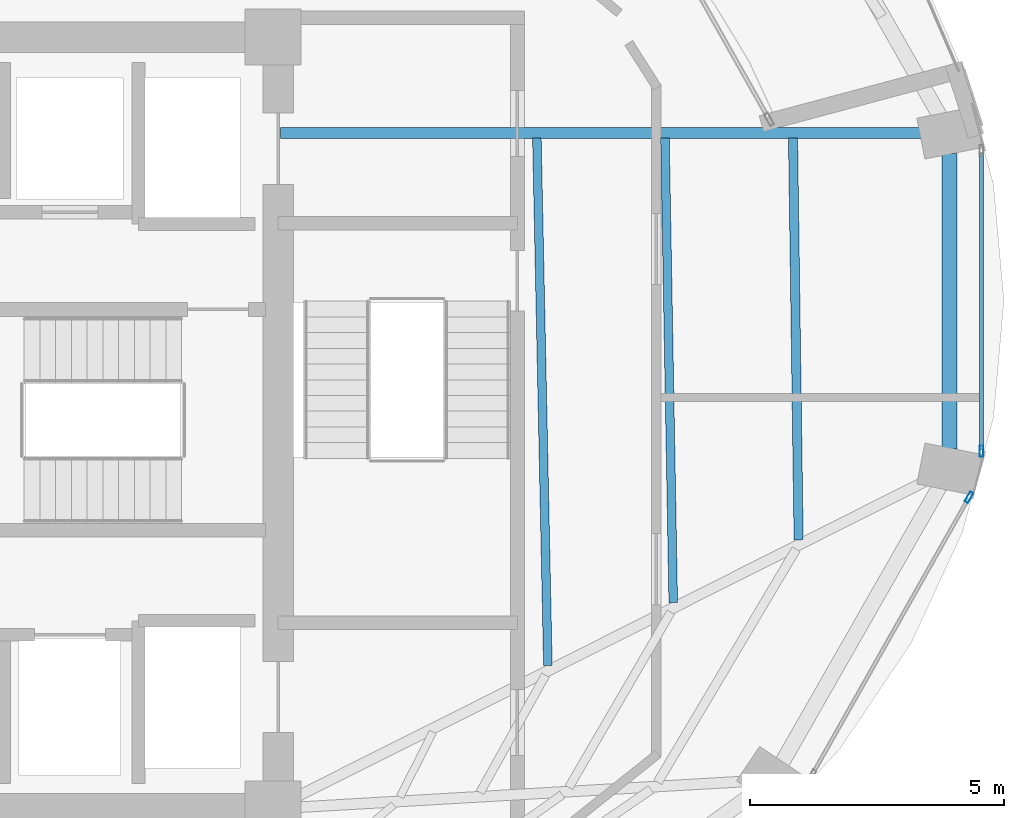
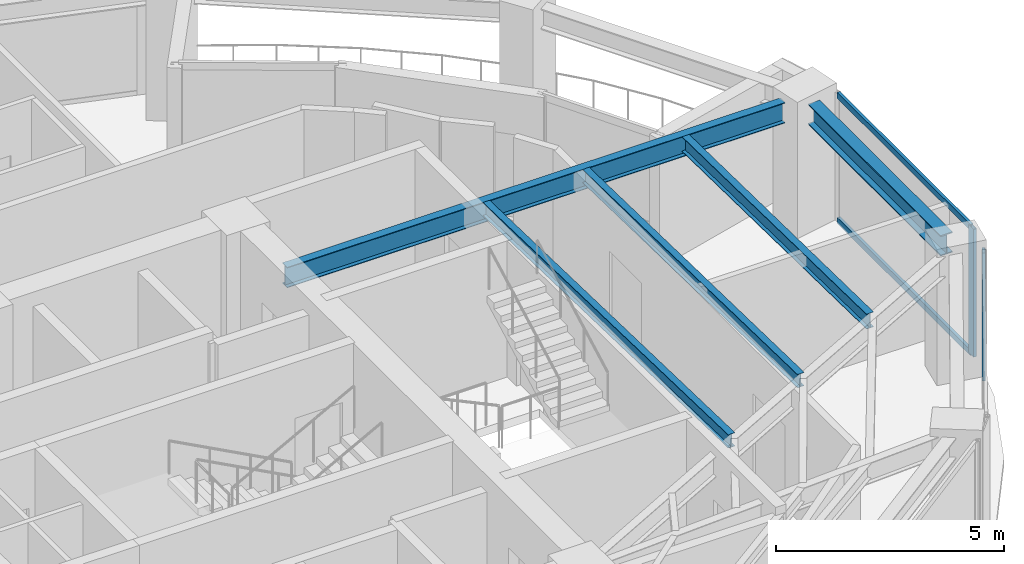
# One storey, part 10 of 19: 5 beams, 4 members, 2 elements without a shape of their own.
"""IFC4 building model written with IfcOpenShell, lengths in metres."""

from ifc_helpers import new_model, si_unit, direction, frame, origin, origin_2d, place, context, subcontext, project, spatial, hollow_rectangle, i_section, extrude, material, layer, layer_set, material_profile, profile_set, type_object, element, aggregate, save


model = new_model("IFC4")

# Units and contexts
model_context = context("Model", 3, precision=1e-05, world=origin(), true_north=direction((0.0, 1.0)))
body_context = subcontext(model_context, "Body", "Model", "MODEL_VIEW")
ifc_project = project(units=[si_unit("LENGTHUNIT", "METRE"), si_unit("AREAUNIT", "SQUARE_METRE"), si_unit("VOLUMEUNIT", "CUBIC_METRE"), si_unit("PLANEANGLEUNIT", "RADIAN"), si_unit("MASSUNIT", "GRAM", prefix="KILO")], contexts=[model_context])

# Site, building, storey
site_placement = place(None, origin())
site = spatial("IfcSite", under=ifc_project, at=site_placement, CompositionType="ELEMENT")
building_placement = place(site_placement, origin())
building = spatial("IfcBuilding", under=site, at=building_placement, Name="Lazwardi Medical Tower", CompositionType="ELEMENT")
storey_placement = place(building_placement, frame((0.0, 0.0, 163.823974609375)))
storey = spatial("IfcBuildingStorey", under=building, at=storey_placement, Name="L42", CompositionType="ELEMENT", Elevation=163.823974609375)

# Beams
ifc_material_1 = material(Name="Steel S355", Category="steel")
ifc_material_profile_1 = material_profile(ifc_material_1, i_section(OverallWidth=0.300048828125, OverallDepth=0.550048828125, WebThickness=0.014892578125, FlangeThickness=0.029052734375, at=origin_2d()), Name="HEB 550")
ifc_profile_set_1 = profile_set([ifc_material_profile_1], Name="Steel S355")
beam_type_1 = type_object("IfcBeamType", Name="BM-RB-Z3", PredefinedType="BEAM", material=ifc_profile_set_1)
beam_1_placement = place(storey_placement, frame((58.92578125, 27.48828125, 3.153076171875), z_axis=(0.0, 1.0, 0.0), x_axis=(-1.0, 0.0, 0.0)))
element("IfcBeam", 1, at=beam_1_placement, inside=storey, type_object=beam_type_1, Name="Ring beam RB-04 B04 L42", PredefinedType="BEAM", context=body_context, shape_type="SweptSolid", body=[
    extrude(i_section(OverallWidth=0.300048828125, OverallDepth=0.550048828125, WebThickness=0.014892578125, FlangeThickness=0.029052734375, at=origin_2d()), origin(), (0.0, 0.0, 1.0), 5.823486328125),
])
ifc_material_profile_2 = material_profile(ifc_material_1, i_section(OverallWidth=0.2099609375, OverallDepth=0.550048828125, WebThickness=0.010986328125, FlangeThickness=0.01708984375, at=origin_2d()), Name="IPE 550")
ifc_profile_set_2 = profile_set([ifc_material_profile_2], Name="Steel S355")
beam_type_2 = type_object("IfcBeamType", Name="BM-RG-W2", PredefinedType="BEAM", material=ifc_profile_set_2)
beam_2_placement = place(storey_placement, frame((58.365966796875, 33.711669921875, 3.153076171875), z_axis=(-1.0, 0.0, 0.0), x_axis=(0.0, -1.0, 0.0)))
element("IfcBeam", 2, at=beam_2_placement, inside=storey, type_object=beam_type_2, Name="Radial girder RG-03 R05 L42", PredefinedType="BEAM", context=body_context, shape_type="SweptSolid", body=[
    extrude(i_section(OverallWidth=0.2099609375, OverallDepth=0.550048828125, WebThickness=0.010986328125, FlangeThickness=0.01708984375, at=origin_2d()), origin(), (0.0, 0.0, 1.0), 12.615966796875),
])
ifc_material_profile_3 = material_profile(ifc_material_1, i_section(OverallWidth=0.179931640625, OverallDepth=0.39990234375, WebThickness=0.008544921875, FlangeThickness=0.013427734375, at=origin_2d()), Name="IPE 400")
ifc_profile_set_3 = profile_set([ifc_material_profile_3], Name="Steel S355")
beam_type_3 = type_object("IfcBeamType", Name="BM-SJ-01", PredefinedType="JOIST", material=ifc_profile_set_3)
beam_3_placement = place(storey_placement, frame((55.95458984375, 25.69775390625, 3.22802734375), z_axis=(-0.013973216114, 0.99990236985, 0.0), x_axis=(-0.99990236985, -0.013973216114, 0.0)))
element("IfcBeam", 3, at=beam_3_placement, inside=storey, type_object=beam_type_3, Name="Secondary joist SJ-01 R1 B04 L42", PredefinedType="JOIST", context=body_context, shape_type="SweptSolid", body=[
    extrude(i_section(OverallWidth=0.179931640625, OverallDepth=0.39990234375, WebThickness=0.008544921875, FlangeThickness=0.013427734375, at=origin_2d()), origin(), (0.0, 0.0, 1.0), 7.914794921875),
])
ifc_material_profile_4 = material_profile(ifc_material_1, i_section(OverallWidth=0.169921875, OverallDepth=0.360107421875, WebThickness=0.008056640625, FlangeThickness=0.0126953125, at=origin_2d()), Name="IPE 360")
ifc_profile_set_4 = profile_set([ifc_material_profile_4], Name="Steel S355")
beam_type_4 = type_object("IfcBeamType", Name="BM-SJ-02", PredefinedType="JOIST", material=ifc_profile_set_4)
beam_4_placement = place(storey_placement, frame((53.484619140625, 24.458251953125, 3.248046875), z_axis=(-0.017840490914, 0.999840845777, 0.0), x_axis=(-0.999840845777, -0.017840490914, 0.0)))
element("IfcBeam", 4, at=beam_4_placement, inside=storey, type_object=beam_type_4, Name="Secondary joist SJ-02 R2 B04 L42", PredefinedType="JOIST", context=body_context, shape_type="SweptSolid", body=[
    extrude(i_section(OverallWidth=0.169921875, OverallDepth=0.360107421875, WebThickness=0.008056640625, FlangeThickness=0.0126953125, at=origin_2d()), origin(), (0.0, 0.0, 1.0), 9.155029296875),
])
beam_5_placement = place(storey_placement, frame((51.014892578125, 23.21875, 3.248046875), z_axis=(-0.020831748111, 0.99978299559, 0.0), x_axis=(-0.99978299559, -0.020831748111, 0.0)))
element("IfcBeam", 5, at=beam_5_placement, inside=storey, type_object=beam_type_4, Name="Secondary joist SJ-02 R3 B04 L42", PredefinedType="JOIST", context=body_context, shape_type="SweptSolid", body=[
    extrude(i_section(OverallWidth=0.169921875, OverallDepth=0.360107421875, WebThickness=0.008056640625, FlangeThickness=0.0126953125, at=origin_2d()), origin(), (0.0, 0.0, 1.0), 10.395263671875),
])

# Curtain wall, member
ifc_material_2 = material(Name="Anodised bronze aluminium and solar control glazing", Category="aluminium")
ifc_layer = layer(ifc_material_2, 0.195068359375)
ifc_layer_set = layer_set([ifc_layer], Name="Anodised bronze aluminium and solar control glazing")
curtain_wall_type = type_object("IfcCurtainWallType", Name="CW-SYS-03", PredefinedType="NOTDEFINED", material=ifc_layer_set)
curtain_wall_1_placement = place(storey_placement, origin())
curtain_wall_1 = element("IfcCurtainWall", 6, at=curtain_wall_1_placement, inside=storey, type_object=curtain_wall_type, Name="L42 Unitised bronze curtain wall CW-03", PredefinedType="NOTDEFINED")
ifc_material_3 = material(Name="Anodised bronze aluminium", Category="aluminium")
ifc_material_profile_5 = material_profile(ifc_material_3, hollow_rectangle(XDim=0.074951171875, YDim=0.219970703125, WallThickness=0.00390625, at=origin_2d()), Name="ALU-MULLION 220x75x4")
ifc_profile_set_5 = profile_set([ifc_material_profile_5], Name="Anodised bronze aluminium")
member_type_1 = type_object("IfcMemberType", Name="CW-MUL-01", PredefinedType="MULLION", material=ifc_profile_set_5)
member_1_placement = place(storey_placement, frame((59.31103515625, 26.53271484375, 0.0), z_axis=(0.0, 0.0, 1.0), x_axis=(-0.870418989303, 0.492311672683, 0.0)))
member_1 = element("IfcMember", 7, at=member_1_placement, type_object=member_type_1, Name="CW-03 mullion 2", PredefinedType="MULLION", context=body_context, shape_type="SweptSolid", body=[
    extrude(hollow_rectangle(XDim=0.074951171875, YDim=0.219970703125, WallThickness=0.00390625, at=origin_2d()), origin(), (0.0, 0.0, 1.0), 3.427978515625),
])
aggregate(curtain_wall_1, [member_1])

# Curtain wall, members
curtain_wall_2_placement = place(storey_placement, origin())
curtain_wall_2 = element("IfcCurtainWall", 8, at=curtain_wall_2_placement, inside=storey, type_object=curtain_wall_type, Name="L42 Unitised bronze curtain wall CW-03", PredefinedType="NOTDEFINED")
member_2_placement = place(storey_placement, frame((59.5576171875, 27.442138671875, 0.0), z_axis=(0.0, 0.0, 1.0), x_axis=(-1.0, 0.0, 0.0)))
member_2 = element("IfcMember", 9, at=member_2_placement, type_object=member_type_1, Name="CW-03 mullion 1", PredefinedType="MULLION", context=body_context, shape_type="SweptSolid", body=[
    extrude(hollow_rectangle(XDim=0.074951171875, YDim=0.219970703125, WallThickness=0.00390625, at=origin_2d()), origin(), (0.0, 0.0, 1.0), 3.427978515625),
])
ifc_material_profile_6 = material_profile(ifc_material_3, hollow_rectangle(XDim=0.074951171875, YDim=0.159912109375, WallThickness=0.00390625, at=origin_2d()), Name="ALU-TRANSOM 160x75x4")
ifc_profile_set_6 = profile_set([ifc_material_profile_6], Name="Anodised bronze aluminium")
member_type_2 = type_object("IfcMemberType", Name="CW-TRN-01", PredefinedType="USERDEFINED", material=ifc_profile_set_6)
member_3_placement = place(storey_placement, frame((59.5576171875, 27.4794921875, 0.03759765625), z_axis=(0.0, 1.0, 0.0), x_axis=(-1.0, 0.0, 0.0)))
member_3 = element("IfcMember", 10, at=member_3_placement, type_object=member_type_2, Name="CW-03 transom 1.1", ObjectType="TRANSOM", PredefinedType="USERDEFINED", context=body_context, shape_type="SweptSolid", body=[
    extrude(hollow_rectangle(XDim=0.074951171875, YDim=0.159912109375, WallThickness=0.00390625, at=origin_2d()), origin(), (0.0, 0.0, 1.0), 5.8408203125),
])
member_4_placement = place(storey_placement, frame((59.5576171875, 27.4794921875, 3.390625), z_axis=(0.0, 1.0, 0.0), x_axis=(-1.0, 0.0, 0.0)))
member_4 = element("IfcMember", 11, at=member_4_placement, type_object=member_type_2, Name="CW-03 transom 1.2", ObjectType="TRANSOM", PredefinedType="USERDEFINED", context=body_context, shape_type="SweptSolid", body=[
    extrude(hollow_rectangle(XDim=0.074951171875, YDim=0.159912109375, WallThickness=0.00390625, at=origin_2d()), origin(), (0.0, 0.0, 1.0), 5.8408203125),
])
aggregate(curtain_wall_2, [member_2, member_3, member_4])

save(model, "model.ifc")
